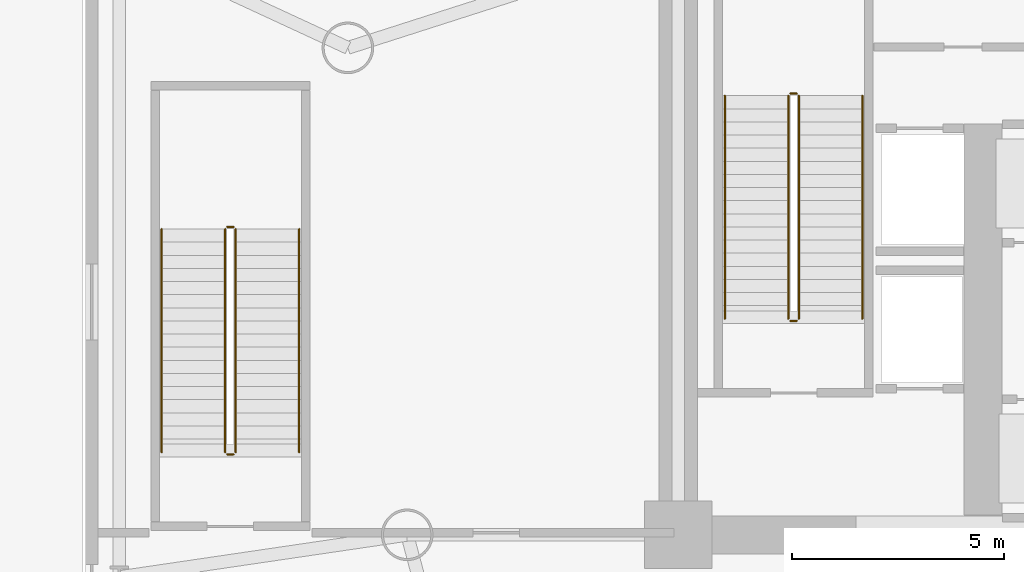
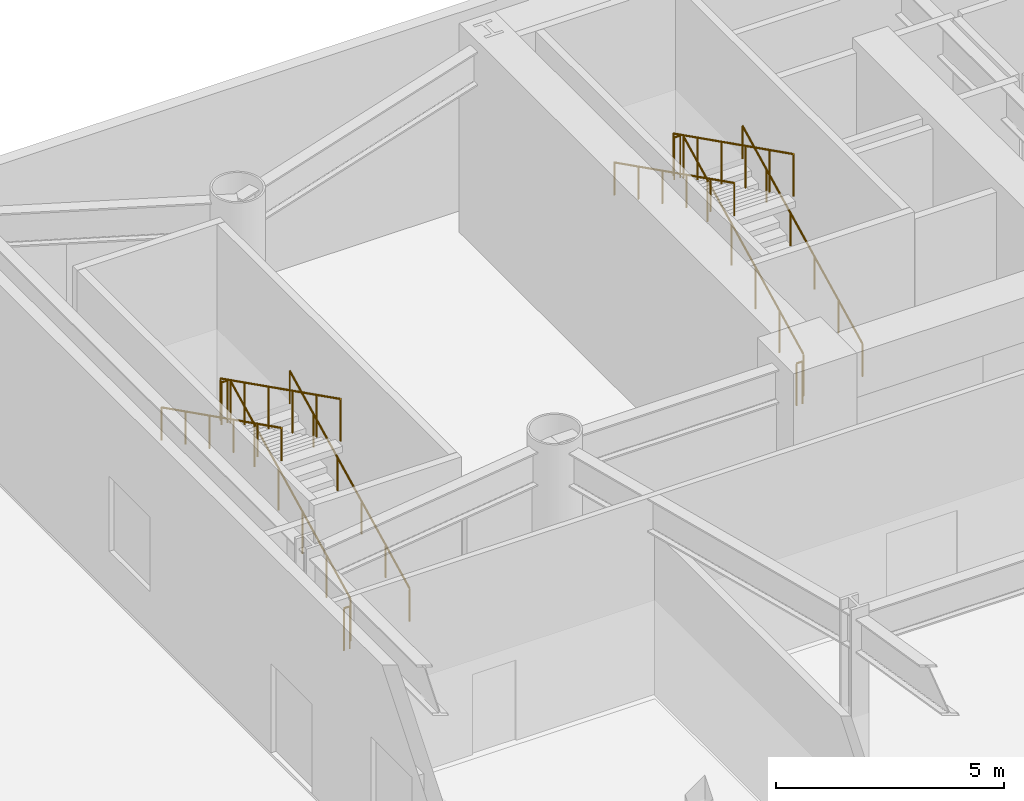
# One storey, part 16 of 20: 12 railings.
"""IFC4 building model written with IfcOpenShell, lengths in metres."""

from ifc_helpers import new_model, si_unit, direction, frame, origin, origin_2d, place, context, subcontext, project, spatial, circle, extrude, material, type_object, element, save


model = new_model("IFC4")

# Units and contexts
model_context = context("Model", 3, precision=1e-05, world=origin(), true_north=direction((0.0, 1.0)))
body_context = subcontext(model_context, "Body", "Model", "MODEL_VIEW")
ifc_project = project(units=[si_unit("LENGTHUNIT", "METRE"), si_unit("AREAUNIT", "SQUARE_METRE"), si_unit("VOLUMEUNIT", "CUBIC_METRE"), si_unit("PLANEANGLEUNIT", "RADIAN"), si_unit("MASSUNIT", "GRAM", prefix="KILO")], contexts=[model_context])

# Site, building, storey
site_placement = place(None, origin())
site = spatial("IfcSite", under=ifc_project, at=site_placement, CompositionType="ELEMENT")
building_placement = place(site_placement, origin())
building = spatial("IfcBuilding", under=site, at=building_placement, Name="Vaeldorn Concourse Tower", CompositionType="ELEMENT")
storey_placement = place(building_placement, origin())
storey = spatial("IfcBuildingStorey", under=building, at=storey_placement, Name="L00", CompositionType="ELEMENT", Elevation=0.0)

# Railings
ifc_material = material(Name="Anodised Bronze Aluminium", Category="aluminium")
railing_type_1 = type_object("IfcRailingType", Name="RL-STAIR-GUARD", PredefinedType="GUARDRAIL", material=ifc_material)
railing_1_placement = place(storey_placement, frame((16.85009765625, 41.60009765625, 0.155517578125)))
element("IfcRailing", 1, at=railing_1_placement, inside=storey, type_object=railing_type_1, Name="L00 ST-1 stair guard 1", PredefinedType="GUARDRAIL", context=body_context, shape_type="SweptSolid", body=[
    extrude(circle(Radius=0.02392578125, at=origin_2d()), frame((0.0, 0.0, 1.1259765625), z_axis=(0.0, 0.893780331391, 0.448504982379), x_axis=(-1.0, 0.0, 0.0)), (0.0, 0.0, 1.0), 5.896240234375),
    extrude(circle(Radius=0.02099609375, at=origin_2d()), origin(), (0.0, 0.0, 1.0), 1.101806640625),
    extrude(circle(Radius=0.02099609375, at=origin_2d()), frame((0.0, 1.053955078125, 0.52880859375)), (0.0, 0.0, 1.0), 1.101806640625),
    extrude(circle(Radius=0.02099609375, at=origin_2d()), frame((0.0, 2.10791015625, 1.057861328125)), (0.0, 0.0, 1.0), 1.101806640625),
    extrude(circle(Radius=0.02099609375, at=origin_2d()), frame((0.0, 3.162109375, 1.586669921875)), (0.0, 0.0, 1.0), 1.101806640625),
    extrude(circle(Radius=0.02099609375, at=origin_2d()), frame((0.0, 4.216064453125, 2.11572265625)), (0.0, 0.0, 1.0), 1.101806640625),
    extrude(circle(Radius=0.02099609375, at=origin_2d()), frame((0.0, 5.27001953125, 2.64453125)), (0.0, 0.0, 1.0), 1.101806640625),
])
railing_2_placement = place(storey_placement, frame((16.800048828125, 46.919921875, 2.800048828125)))
element("IfcRailing", 2, at=railing_2_placement, inside=storey, type_object=railing_type_1, Name="L00 ST-1 stair guard 2", PredefinedType="GUARDRAIL", context=body_context, shape_type="SweptSolid", body=[
    extrude(circle(Radius=0.02392578125, at=origin_2d()), frame((0.0, 0.0, 1.1259765625), z_axis=(-1.0, 0.0, 0.0), x_axis=(0.0, -1.0, 0.0)), (0.0, 0.0, 1.0), 0.150146484375),
    extrude(circle(Radius=0.02099609375, at=origin_2d()), origin(), (0.0, 0.0, 1.0), 1.101806640625),
    extrude(circle(Radius=0.02099609375, at=origin_2d()), frame((-0.150146484375, 0.0, 0.0)), (0.0, 0.0, 1.0), 1.101806640625),
])
railing_3_placement = place(storey_placement, frame((16.60009765625, 46.8701171875, 2.95556640625)))
element("IfcRailing", 3, at=railing_3_placement, inside=storey, type_object=railing_type_1, Name="L00 ST-1 stair guard 3", PredefinedType="GUARDRAIL", context=body_context, shape_type="SweptSolid", body=[
    extrude(circle(Radius=0.02392578125, at=origin_2d()), frame((0.0, 0.0, 1.1259765625), z_axis=(0.0, -0.893780331391, 0.448504982379), x_axis=(1.0, 0.0, 0.0)), (0.0, 0.0, 1.0), 5.896240234375),
    extrude(circle(Radius=0.02099609375, at=origin_2d()), origin(), (0.0, 0.0, 1.0), 1.101806640625),
    extrude(circle(Radius=0.02099609375, at=origin_2d()), frame((0.0, -1.053955078125, 0.52880859375)), (0.0, 0.0, 1.0), 1.101806640625),
    extrude(circle(Radius=0.02099609375, at=origin_2d()), frame((0.0, -2.10791015625, 1.057861328125)), (0.0, 0.0, 1.0), 1.101806640625),
    extrude(circle(Radius=0.02099609375, at=origin_2d()), frame((0.0, -3.162109375, 1.586669921875)), (0.0, 0.0, 1.0), 1.101806640625),
    extrude(circle(Radius=0.02099609375, at=origin_2d()), frame((0.0, -4.216064453125, 2.11572265625)), (0.0, 0.0, 1.0), 1.101806640625),
    extrude(circle(Radius=0.02099609375, at=origin_2d()), frame((0.0, -5.27001953125, 2.64453125)), (0.0, 0.0, 1.0), 1.101806640625),
])
railing_4_placement = place(storey_placement, frame((16.800048828125, 41.550048828125, 0.0)))
element("IfcRailing", 4, at=railing_4_placement, inside=storey, type_object=railing_type_1, Name="L00 ST-1 stair guard 4", PredefinedType="GUARDRAIL", context=body_context, shape_type="SweptSolid", body=[
    extrude(circle(Radius=0.02392578125, at=origin_2d()), frame((0.0, 0.0, 1.1259765625), z_axis=(-1.0, 0.0, 0.0), x_axis=(0.0, -1.0, 0.0)), (0.0, 0.0, 1.0), 0.150146484375),
    extrude(circle(Radius=0.02099609375, at=origin_2d()), origin(), (0.0, 0.0, 1.0), 1.101806640625),
    extrude(circle(Radius=0.02099609375, at=origin_2d()), frame((-0.150146484375, 0.0, 0.0)), (0.0, 0.0, 1.0), 1.101806640625),
])
railing_5_placement = place(storey_placement, frame((3.550048828125, 38.449951171875, 0.155517578125)))
element("IfcRailing", 5, at=railing_5_placement, inside=storey, type_object=railing_type_1, Name="L00 ST-3 stair guard 1", PredefinedType="GUARDRAIL", context=body_context, shape_type="SweptSolid", body=[
    extrude(circle(Radius=0.02392578125, at=origin_2d()), frame((0.0, 0.0, 1.1259765625), z_axis=(0.0, 0.893780331391, 0.448504982379), x_axis=(-1.0, 0.0, 0.0)), (0.0, 0.0, 1.0), 5.896240234375),
    extrude(circle(Radius=0.02099609375, at=origin_2d()), origin(), (0.0, 0.0, 1.0), 1.101806640625),
    extrude(circle(Radius=0.02099609375, at=origin_2d()), frame((0.0, 1.053955078125, 0.52880859375)), (0.0, 0.0, 1.0), 1.101806640625),
    extrude(circle(Radius=0.02099609375, at=origin_2d()), frame((0.0, 2.10791015625, 1.057861328125)), (0.0, 0.0, 1.0), 1.101806640625),
    extrude(circle(Radius=0.02099609375, at=origin_2d()), frame((0.0, 3.162109375, 1.586669921875)), (0.0, 0.0, 1.0), 1.101806640625),
    extrude(circle(Radius=0.02099609375, at=origin_2d()), frame((0.0, 4.216064453125, 2.11572265625)), (0.0, 0.0, 1.0), 1.101806640625),
    extrude(circle(Radius=0.02099609375, at=origin_2d()), frame((0.0, 5.27001953125, 2.64453125)), (0.0, 0.0, 1.0), 1.101806640625),
])
railing_6_placement = place(storey_placement, frame((3.5, 43.77001953125, 2.800048828125)))
element("IfcRailing", 6, at=railing_6_placement, inside=storey, type_object=railing_type_1, Name="L00 ST-3 stair guard 2", PredefinedType="GUARDRAIL", context=body_context, shape_type="SweptSolid", body=[
    extrude(circle(Radius=0.02392578125, at=origin_2d()), frame((0.0, 0.0, 1.1259765625), z_axis=(-1.0, 0.0, 0.0), x_axis=(0.0, -1.0, 0.0)), (0.0, 0.0, 1.0), 0.14990234375),
    extrude(circle(Radius=0.02099609375, at=origin_2d()), origin(), (0.0, 0.0, 1.0), 1.101806640625),
    extrude(circle(Radius=0.02099609375, at=origin_2d()), frame((-0.14990234375, 0.0, 0.0)), (0.0, 0.0, 1.0), 1.101806640625),
])
railing_7_placement = place(storey_placement, frame((3.300048828125, 43.719970703125, 2.95556640625)))
element("IfcRailing", 7, at=railing_7_placement, inside=storey, type_object=railing_type_1, Name="L00 ST-3 stair guard 3", PredefinedType="GUARDRAIL", context=body_context, shape_type="SweptSolid", body=[
    extrude(circle(Radius=0.02392578125, at=origin_2d()), frame((0.0, 0.0, 1.1259765625), z_axis=(0.0, -0.893780331391, 0.448504982379), x_axis=(1.0, 0.0, 0.0)), (0.0, 0.0, 1.0), 5.896240234375),
    extrude(circle(Radius=0.02099609375, at=origin_2d()), origin(), (0.0, 0.0, 1.0), 1.101806640625),
    extrude(circle(Radius=0.02099609375, at=origin_2d()), frame((0.0, -1.053955078125, 0.52880859375)), (0.0, 0.0, 1.0), 1.101806640625),
    extrude(circle(Radius=0.02099609375, at=origin_2d()), frame((0.0, -2.10791015625, 1.057861328125)), (0.0, 0.0, 1.0), 1.101806640625),
    extrude(circle(Radius=0.02099609375, at=origin_2d()), frame((0.0, -3.162109375, 1.586669921875)), (0.0, 0.0, 1.0), 1.101806640625),
    extrude(circle(Radius=0.02099609375, at=origin_2d()), frame((0.0, -4.216064453125, 2.11572265625)), (0.0, 0.0, 1.0), 1.101806640625),
    extrude(circle(Radius=0.02099609375, at=origin_2d()), frame((0.0, -5.27001953125, 2.64453125)), (0.0, 0.0, 1.0), 1.101806640625),
])
railing_8_placement = place(storey_placement, frame((3.5, 38.39990234375, 0.0)))
element("IfcRailing", 8, at=railing_8_placement, inside=storey, type_object=railing_type_1, Name="L00 ST-3 stair guard 4", PredefinedType="GUARDRAIL", context=body_context, shape_type="SweptSolid", body=[
    extrude(circle(Radius=0.02392578125, at=origin_2d()), frame((0.0, 0.0, 1.1259765625), z_axis=(-1.0, 0.0, 0.0), x_axis=(0.0, -1.0, 0.0)), (0.0, 0.0, 1.0), 0.14990234375),
    extrude(circle(Radius=0.02099609375, at=origin_2d()), origin(), (0.0, 0.0, 1.0), 1.101806640625),
    extrude(circle(Radius=0.02099609375, at=origin_2d()), frame((-0.14990234375, 0.0, 0.0)), (0.0, 0.0, 1.0), 1.101806640625),
])
railing_type_2 = type_object("IfcRailingType", Name="RL-STAIR-HANDRAIL", PredefinedType="HANDRAIL", material=ifc_material)
railing_9_placement = place(storey_placement, frame((18.35009765625, 41.60009765625, 0.155517578125)))
element("IfcRailing", 9, at=railing_9_placement, inside=storey, type_object=railing_type_2, Name="L00 ST-1 stair handrail 1", PredefinedType="HANDRAIL", context=body_context, shape_type="SweptSolid", body=[
    extrude(circle(Radius=0.02392578125, at=origin_2d()), frame((0.0, 0.0, 0.8759765625), z_axis=(0.0, 0.893780331391, 0.448504982379), x_axis=(-1.0, 0.0, 0.0)), (0.0, 0.0, 1.0), 5.896240234375),
    extrude(circle(Radius=0.02099609375, at=origin_2d()), origin(), (0.0, 0.0, 1.0), 0.851806640625),
    extrude(circle(Radius=0.02099609375, at=origin_2d()), frame((0.0, 1.053955078125, 0.52880859375)), (0.0, 0.0, 1.0), 0.851806640625),
    extrude(circle(Radius=0.02099609375, at=origin_2d()), frame((0.0, 2.10791015625, 1.057861328125)), (0.0, 0.0, 1.0), 0.851806640625),
    extrude(circle(Radius=0.02099609375, at=origin_2d()), frame((0.0, 3.162109375, 1.586669921875)), (0.0, 0.0, 1.0), 0.851806640625),
    extrude(circle(Radius=0.02099609375, at=origin_2d()), frame((0.0, 4.216064453125, 2.11572265625)), (0.0, 0.0, 1.0), 0.851806640625),
    extrude(circle(Radius=0.02099609375, at=origin_2d()), frame((0.0, 5.27001953125, 2.64453125)), (0.0, 0.0, 1.0), 0.851806640625),
])
railing_10_placement = place(storey_placement, frame((15.10009765625, 46.8701171875, 2.95556640625)))
element("IfcRailing", 10, at=railing_10_placement, inside=storey, type_object=railing_type_2, Name="L00 ST-1 stair handrail 2", PredefinedType="HANDRAIL", context=body_context, shape_type="SweptSolid", body=[
    extrude(circle(Radius=0.02392578125, at=origin_2d()), frame((0.0, 0.0, 0.8759765625), z_axis=(0.0, -0.893780331391, 0.448504982379), x_axis=(1.0, 0.0, 0.0)), (0.0, 0.0, 1.0), 5.896240234375),
    extrude(circle(Radius=0.02099609375, at=origin_2d()), origin(), (0.0, 0.0, 1.0), 0.851806640625),
    extrude(circle(Radius=0.02099609375, at=origin_2d()), frame((0.0, -1.053955078125, 0.52880859375)), (0.0, 0.0, 1.0), 0.851806640625),
    extrude(circle(Radius=0.02099609375, at=origin_2d()), frame((0.0, -2.10791015625, 1.057861328125)), (0.0, 0.0, 1.0), 0.851806640625),
    extrude(circle(Radius=0.02099609375, at=origin_2d()), frame((0.0, -3.162109375, 1.586669921875)), (0.0, 0.0, 1.0), 0.851806640625),
    extrude(circle(Radius=0.02099609375, at=origin_2d()), frame((0.0, -4.216064453125, 2.11572265625)), (0.0, 0.0, 1.0), 0.851806640625),
    extrude(circle(Radius=0.02099609375, at=origin_2d()), frame((0.0, -5.27001953125, 2.64453125)), (0.0, 0.0, 1.0), 0.851806640625),
])
railing_11_placement = place(storey_placement, frame((5.050048828125, 38.449951171875, 0.155517578125)))
element("IfcRailing", 11, at=railing_11_placement, inside=storey, type_object=railing_type_2, Name="L00 ST-3 stair handrail 1", PredefinedType="HANDRAIL", context=body_context, shape_type="SweptSolid", body=[
    extrude(circle(Radius=0.02392578125, at=origin_2d()), frame((0.0, 0.0, 0.8759765625), z_axis=(0.0, 0.893780331391, 0.448504982379), x_axis=(-1.0, 0.0, 0.0)), (0.0, 0.0, 1.0), 5.896240234375),
    extrude(circle(Radius=0.02099609375, at=origin_2d()), origin(), (0.0, 0.0, 1.0), 0.851806640625),
    extrude(circle(Radius=0.02099609375, at=origin_2d()), frame((0.0, 1.053955078125, 0.52880859375)), (0.0, 0.0, 1.0), 0.851806640625),
    extrude(circle(Radius=0.02099609375, at=origin_2d()), frame((0.0, 2.10791015625, 1.057861328125)), (0.0, 0.0, 1.0), 0.851806640625),
    extrude(circle(Radius=0.02099609375, at=origin_2d()), frame((0.0, 3.162109375, 1.586669921875)), (0.0, 0.0, 1.0), 0.851806640625),
    extrude(circle(Radius=0.02099609375, at=origin_2d()), frame((0.0, 4.216064453125, 2.11572265625)), (0.0, 0.0, 1.0), 0.851806640625),
    extrude(circle(Radius=0.02099609375, at=origin_2d()), frame((0.0, 5.27001953125, 2.64453125)), (0.0, 0.0, 1.0), 0.851806640625),
])
railing_12_placement = place(storey_placement, frame((1.800048828125, 43.719970703125, 2.95556640625)))
element("IfcRailing", 12, at=railing_12_placement, inside=storey, type_object=railing_type_2, Name="L00 ST-3 stair handrail 2", PredefinedType="HANDRAIL", context=body_context, shape_type="SweptSolid", body=[
    extrude(circle(Radius=0.02392578125, at=origin_2d()), frame((0.0, 0.0, 0.8759765625), z_axis=(0.0, -0.893780331391, 0.448504982379), x_axis=(1.0, 0.0, 0.0)), (0.0, 0.0, 1.0), 5.896240234375),
    extrude(circle(Radius=0.02099609375, at=origin_2d()), origin(), (0.0, 0.0, 1.0), 0.851806640625),
    extrude(circle(Radius=0.02099609375, at=origin_2d()), frame((0.0, -1.053955078125, 0.52880859375)), (0.0, 0.0, 1.0), 0.851806640625),
    extrude(circle(Radius=0.02099609375, at=origin_2d()), frame((0.0, -2.10791015625, 1.057861328125)), (0.0, 0.0, 1.0), 0.851806640625),
    extrude(circle(Radius=0.02099609375, at=origin_2d()), frame((0.0, -3.162109375, 1.586669921875)), (0.0, 0.0, 1.0), 0.851806640625),
    extrude(circle(Radius=0.02099609375, at=origin_2d()), frame((0.0, -4.216064453125, 2.11572265625)), (0.0, 0.0, 1.0), 0.851806640625),
    extrude(circle(Radius=0.02099609375, at=origin_2d()), frame((0.0, -5.27001953125, 2.64453125)), (0.0, 0.0, 1.0), 0.851806640625),
])

save(model, "model.ifc")
